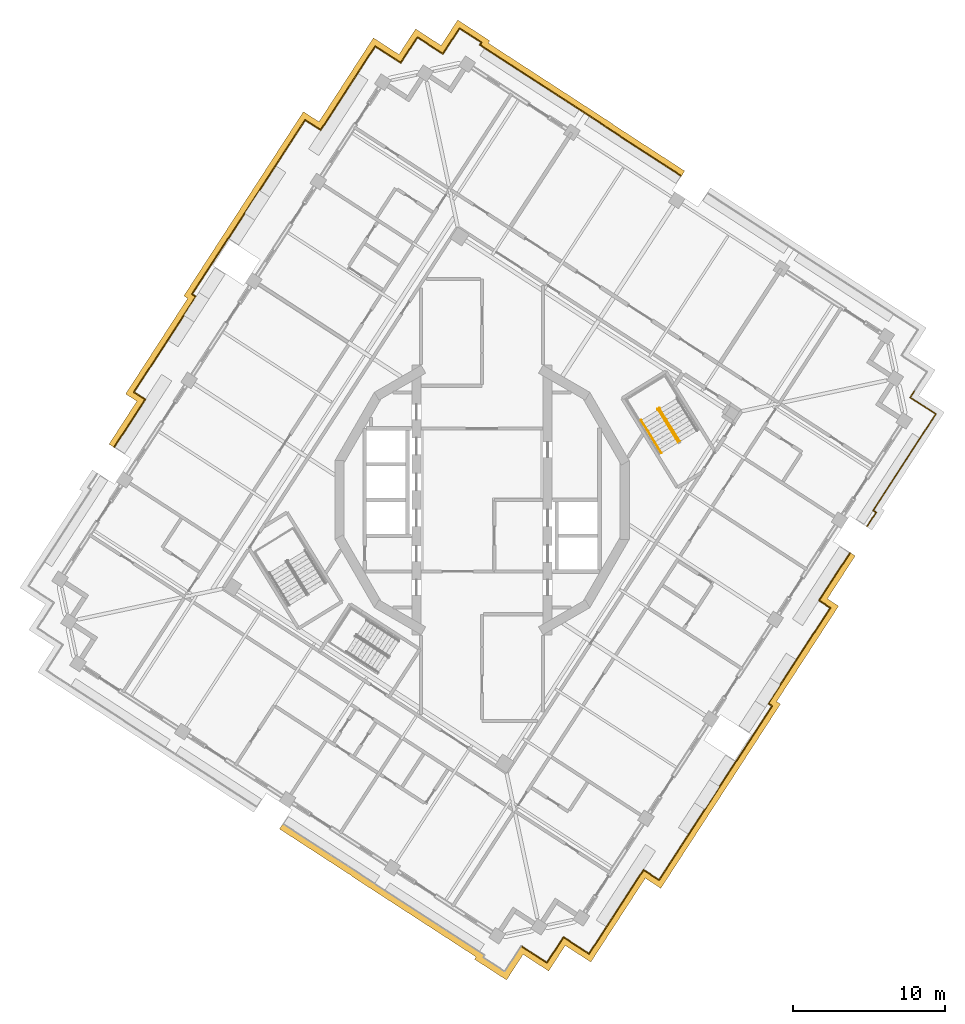
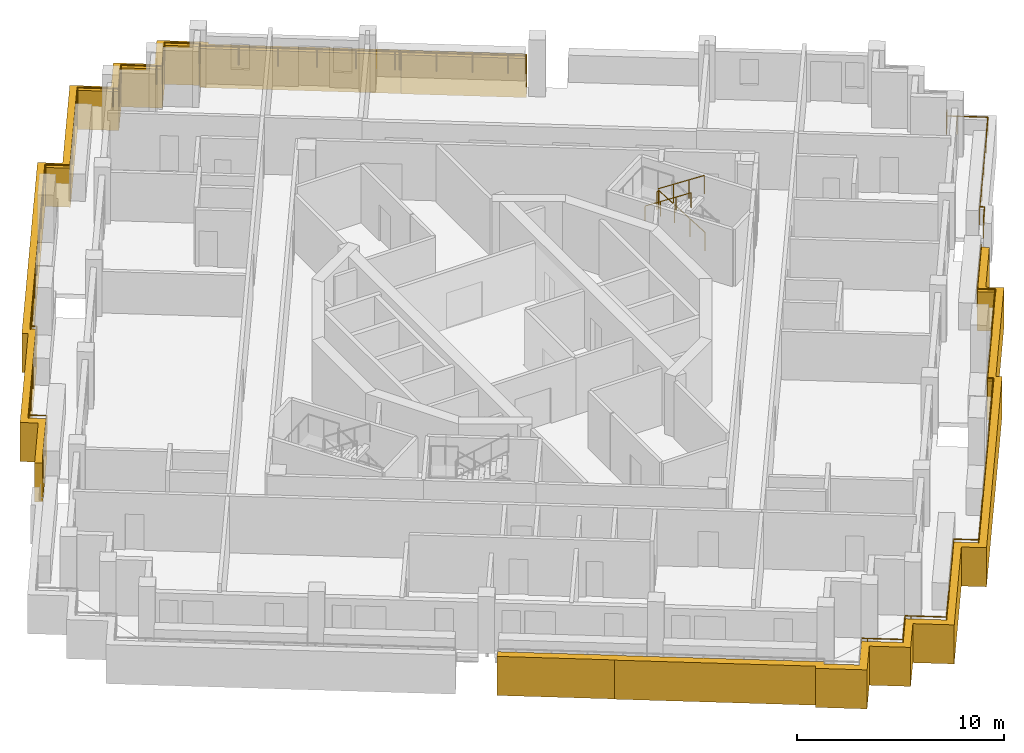
# One storey, part 13 of 15: 7 railings, 2 coverings.
"""IFC4 building model written with IfcOpenShell, lengths in metres."""

from ifc_helpers import new_model, si_unit, direction, frame, origin, origin_2d, place, context, subcontext, project, spatial, polyline, circle, outline, extrude, material, type_object, element, save


model = new_model("IFC4")

# Units and contexts
model_context = context("Model", 3, precision=1e-05, world=origin(), true_north=direction((0.0, 1.0)))
body_context = subcontext(model_context, "Body", "Model", "MODEL_VIEW")
ifc_project = project(units=[si_unit("LENGTHUNIT", "METRE"), si_unit("AREAUNIT", "SQUARE_METRE"), si_unit("VOLUMEUNIT", "CUBIC_METRE"), si_unit("PLANEANGLEUNIT", "RADIAN"), si_unit("MASSUNIT", "GRAM", prefix="KILO")], contexts=[model_context])

# Site, building, storey
site_placement = place(None, origin())
site = spatial("IfcSite", under=ifc_project, at=site_placement, CompositionType="ELEMENT")
building_placement = place(site_placement, origin())
building = spatial("IfcBuilding", under=site, at=building_placement, Name="Cantera Rosa Tower", CompositionType="ELEMENT")
storey_placement = place(building_placement, frame((0.0, 0.0, 272.10009765625)))
storey = spatial("IfcBuildingStorey", under=building, at=storey_placement, Name="L61", CompositionType="ELEMENT", Elevation=272.10009765625)

# Railings
ifc_material_1 = material(Name="Stainless steel and laminated glass", Category="steel")
railing_type_1 = type_object("IfcRailingType", Name="GUARD 1100", PredefinedType="BALUSTRADE", material=ifc_material_1)
railing_1_placement = place(storey_placement, frame((-5.338134765625, 28.68505859375, 0.0)))
element("IfcRailing", 1, at=railing_1_placement, inside=storey, type_object=railing_type_1, Name="GUARD L61-3", PredefinedType="BALUSTRADE", context=body_context, shape_type="SweptSolid", body=[
    extrude(circle(Radius=0.030029296875, at=origin_2d()), frame((0.0, 0.0, 1.070068359375), z_axis=(0.5443304008, 0.838870916629, 0.0), x_axis=(-0.838870916629, 0.5443304008, 0.0)), (0.0, 0.0, 1.0), 0.300048828125),
    extrude(circle(Radius=0.030029296875, at=origin_2d()), frame((0.163330078125, 0.251708984375, 1.070068359375), z_axis=(0.544685462014, 0.838640416073, 0.0), x_axis=(-0.838640416073, 0.544685462014, 0.0)), (0.0, 0.0, 1.0), 1.7001953125),
    extrude(circle(Radius=0.030029296875, at=origin_2d()), frame((1.08935546875, 1.677490234375, 1.070068359375), z_axis=(0.83859780397, -0.544751065329, 0.0), x_axis=(0.544751065329, 0.83859780397, 0.0)), (0.0, 0.0, 1.0), 1.699951171875),
    extrude(circle(Radius=0.030029296875, at=origin_2d()), frame((2.514892578125, 0.75146484375, 1.070068359375), z_axis=(0.838870916629, -0.5443304008, 0.0), x_axis=(0.5443304008, 0.838870916629, 0.0)), (0.0, 0.0, 1.0), 0.300048828125),
    extrude(circle(Radius=0.030029296875, at=origin_2d()), frame((2.7666015625, 0.588134765625, 1.070068359375), z_axis=(0.54468796124, 0.838638792855, 0.0), x_axis=(-0.838638792855, 0.54468796124, 0.0)), (0.0, 0.0, 1.0), 2.0),
    extrude(circle(Radius=0.030029296875, at=origin_2d()), frame((3.85595703125, 2.265380859375, 1.070068359375), z_axis=(0.838663412569, -0.54465005317, 0.0), x_axis=(0.54465005317, 0.838663412569, 0.0)), (0.0, 0.0, 1.0), 1.69970703125),
    extrude(circle(Radius=0.030029296875, at=origin_2d()), frame((5.281494140625, 1.339599609375, 1.070068359375), z_axis=(-0.544370967285, -0.838844592268, 0.0), x_axis=(0.838844592268, -0.544370967285, 0.0)), (0.0, 0.0, 1.0), 0.1806640625),
    extrude(circle(Radius=0.030029296875, at=origin_2d()), frame((5.18310546875, 1.18798828125, 1.070068359375), z_axis=(0.838675809205, -0.544630964098, 0.0), x_axis=(0.544630964098, 0.838675809205, 0.0)), (0.0, 0.0, 1.0), 9.437744140625),
    extrude(circle(Radius=0.030029296875, at=origin_2d()), frame((13.098388671875, -3.9521484375, 1.070068359375), z_axis=(0.838845454969, -0.54436963791, 0.0), x_axis=(0.54436963791, 0.838845454969, 0.0)), (0.0, 0.0, 1.0), 0.2080078125),
    extrude(circle(Radius=0.030029296875, at=origin_2d()), frame((13.27294921875, -4.0654296875, 1.070068359375), z_axis=(0.0, -1.0, 0.0), x_axis=(1.0, 0.0, 0.0)), (0.0, 0.0, 1.0), 0.000244140625),
    extrude(circle(Radius=0.030029296875, at=origin_2d()), frame((13.27294921875, -4.065673828125, 1.070068359375), z_axis=(0.839659540432, -0.543113115438, 0.0), x_axis=(0.543113115438, 0.839659540432, 0.0)), (0.0, 0.0, 1.0), 0.0732421875),
    extrude(circle(Radius=0.030029296875, at=origin_2d()), frame((13.33447265625, -4.10546875, 1.070068359375), z_axis=(-0.545880477365, -0.837863058281, 0.0), x_axis=(0.837863058281, -0.545880477365, 0.0)), (0.0, 0.0, 1.0), 0.019287109375),
    extrude(circle(Radius=0.030029296875, at=origin_2d()), frame((13.323974609375, -4.12158203125, 1.070068359375), z_axis=(0.843661487732, -0.536875492193, 0.0), x_axis=(0.536875492193, 0.843661487732, 0.0)), (0.0, 0.0, 1.0), 0.003173828125),
    extrude(circle(Radius=0.030029296875, at=origin_2d()), frame((13.32666015625, -4.123291015625, 1.070068359375), z_axis=(0.838656857697, -0.544660146365, 0.0), x_axis=(0.544660146365, 0.838656857697, 0.0)), (0.0, 0.0, 1.0), 5.177734375),
    extrude(circle(Radius=0.030029296875, at=origin_2d()), frame((17.6689453125, -6.943359375, 1.070068359375), z_axis=(0.838725681888, -0.544554157584, 0.0), x_axis=(0.544554157584, 0.838725681888, 0.0)), (0.0, 0.0, 1.0), 0.869873046875),
    extrude(circle(Radius=0.02490234375, at=origin_2d()), origin(), (0.0, 0.0, 1.0), 1.0400390625),
    extrude(circle(Radius=0.02490234375, at=origin_2d()), frame((0.163330078125, 0.251708984375, 0.0)), (0.0, 0.0, 1.0), 1.0400390625),
    extrude(circle(Radius=0.02490234375, at=origin_2d()), frame((1.08935546875, 1.677490234375, 0.0)), (0.0, 0.0, 1.0), 1.0400390625),
    extrude(circle(Radius=0.02490234375, at=origin_2d()), frame((2.514892578125, 0.75146484375, 0.0)), (0.0, 0.0, 1.0), 1.0400390625),
    extrude(circle(Radius=0.02490234375, at=origin_2d()), frame((2.7666015625, 0.588134765625, 0.0)), (0.0, 0.0, 1.0), 1.0400390625),
    extrude(circle(Radius=0.02490234375, at=origin_2d()), frame((3.85595703125, 2.265380859375, 0.0)), (0.0, 0.0, 1.0), 1.0400390625),
    extrude(circle(Radius=0.02490234375, at=origin_2d()), frame((5.281494140625, 1.339599609375, 0.0)), (0.0, 0.0, 1.0), 1.0400390625),
    extrude(circle(Radius=0.02490234375, at=origin_2d()), frame((5.18310546875, 1.18798828125, 0.0)), (0.0, 0.0, 1.0), 1.0400390625),
    extrude(circle(Radius=0.02490234375, at=origin_2d()), frame((6.76611328125, 0.159912109375, 0.0)), (0.0, 0.0, 1.0), 1.0400390625),
    extrude(circle(Radius=0.02490234375, at=origin_2d()), frame((8.34912109375, -0.8681640625, 0.0)), (0.0, 0.0, 1.0), 1.0400390625),
    extrude(circle(Radius=0.02490234375, at=origin_2d()), frame((9.932373046875, -1.89599609375, 0.0)), (0.0, 0.0, 1.0), 1.0400390625),
    extrude(circle(Radius=0.02490234375, at=origin_2d()), frame((11.515380859375, -2.924072265625, 0.0)), (0.0, 0.0, 1.0), 1.0400390625),
    extrude(circle(Radius=0.02490234375, at=origin_2d()), frame((13.098388671875, -3.9521484375, 0.0)), (0.0, 0.0, 1.0), 1.0400390625),
    extrude(circle(Radius=0.02490234375, at=origin_2d()), frame((13.27294921875, -4.0654296875, 0.0)), (0.0, 0.0, 1.0), 1.0400390625),
    extrude(circle(Radius=0.02490234375, at=origin_2d()), frame((13.27294921875, -4.065673828125, 0.0)), (0.0, 0.0, 1.0), 1.0400390625),
    extrude(circle(Radius=0.02490234375, at=origin_2d()), frame((13.33447265625, -4.10546875, 0.0)), (0.0, 0.0, 1.0), 1.0400390625),
    extrude(circle(Radius=0.02490234375, at=origin_2d()), frame((13.323974609375, -4.12158203125, 0.0)), (0.0, 0.0, 1.0), 1.0400390625),
    extrude(circle(Radius=0.02490234375, at=origin_2d()), frame((13.32666015625, -4.123291015625, 0.0)), (0.0, 0.0, 1.0), 1.0400390625),
    extrude(circle(Radius=0.02490234375, at=origin_2d()), frame((14.774169921875, -5.063232421875, 0.0)), (0.0, 0.0, 1.0), 1.0400390625),
    extrude(circle(Radius=0.02490234375, at=origin_2d()), frame((16.221435546875, -6.00341796875, 0.0)), (0.0, 0.0, 1.0), 1.0400390625),
    extrude(circle(Radius=0.02490234375, at=origin_2d()), frame((17.6689453125, -6.943359375, 0.0)), (0.0, 0.0, 1.0), 1.0400390625),
    extrude(circle(Radius=0.02490234375, at=origin_2d()), frame((18.3984375, -7.4169921875, 0.0)), (0.0, 0.0, 1.0), 1.0400390625),
])
railing_2_placement = place(storey_placement, frame((-24.13916015625, 3.46630859375, 0.0)))
element("IfcRailing", 2, at=railing_2_placement, inside=storey, type_object=railing_type_1, Name="GUARD L61-4", PredefinedType="BALUSTRADE", context=body_context, shape_type="SweptSolid", body=[
    extrude(circle(Radius=0.030029296875, at=origin_2d()), frame((0.0, 0.0, 1.070068359375), z_axis=(0.544602458439, 0.838694319918, 0.0), x_axis=(-0.838694319918, 0.544602458439, 0.0)), (0.0, 0.0, 1.0), 3.736572265625),
    extrude(circle(Radius=0.030029296875, at=origin_2d()), frame((2.034912109375, 3.1337890625, 1.070068359375), z_axis=(-0.838601924896, 0.544744721462, 0.0), x_axis=(-0.544744721462, -0.838601924896, 0.0)), (0.0, 0.0, 1.0), 0.880615234375),
    extrude(circle(Radius=0.030029296875, at=origin_2d()), frame((1.29638671875, 3.613525390625, 1.070068359375), z_axis=(0.544661219355, 0.83865616085, 0.0), x_axis=(-0.83865616085, 0.544661219355, 0.0)), (0.0, 0.0, 1.0), 7.47705078125),
    extrude(circle(Radius=0.030029296875, at=origin_2d()), frame((5.368896484375, 9.88427734375, 1.070068359375), z_axis=(-0.838682823778, 0.544620162223, 0.0), x_axis=(-0.544620162223, -0.838682823778, 0.0)), (0.0, 0.0, 1.0), 0.302978515625),
    extrude(circle(Radius=0.030029296875, at=origin_2d()), frame((5.11474609375, 10.04931640625, 1.070068359375), z_axis=(0.544652300015, 0.838661953405, 0.0), x_axis=(-0.838661953405, 0.544652300015, 0.0)), (0.0, 0.0, 1.0), 13.612548828125),
    extrude(circle(Radius=0.030029296875, at=origin_2d()), frame((12.52880859375, 21.465576171875, 1.070068359375), z_axis=(0.838691191223, -0.544607276636, 0.0), x_axis=(0.544607276636, 0.838691191223, 0.0)), (0.0, 0.0, 1.0), 1.21630859375),
    extrude(circle(Radius=0.030029296875, at=origin_2d()), frame((13.548828125, 20.80322265625, 1.070068359375), z_axis=(0.54462837007, 0.838677493745, 0.0), x_axis=(-0.838677493745, 0.54462837007, 0.0)), (0.0, 0.0, 1.0), 4.86376953125),
    extrude(circle(Radius=0.030029296875, at=origin_2d()), frame((16.19775390625, 24.88232421875, 1.070068359375), z_axis=(0.544584451758, 0.838706012202, 0.0), x_axis=(-0.838706012202, 0.544584451758, 0.0)), (0.0, 0.0, 1.0), 1.699951171875),
    extrude(circle(Radius=0.030029296875, at=origin_2d()), frame((17.12353515625, 26.30810546875, 1.070068359375), z_axis=(0.838706012202, -0.544584451758, 0.0), x_axis=(0.544584451758, 0.838706012202, 0.0)), (0.0, 0.0, 1.0), 1.699951171875),
    extrude(circle(Radius=0.030029296875, at=origin_2d()), frame((18.54931640625, 25.38232421875, 1.070068359375), z_axis=(0.838499355694, -0.544902588084, 0.0), x_axis=(0.544902588084, 0.838499355694, 0.0)), (0.0, 0.0, 1.0), 0.30029296875),
    extrude(circle(Radius=0.02490234375, at=origin_2d()), origin(), (0.0, 0.0, 1.0), 1.0400390625),
    extrude(circle(Radius=0.02490234375, at=origin_2d()), frame((1.017578125, 1.56689453125, 0.0)), (0.0, 0.0, 1.0), 1.0400390625),
    extrude(circle(Radius=0.02490234375, at=origin_2d()), frame((2.034912109375, 3.1337890625, 0.0)), (0.0, 0.0, 1.0), 1.0400390625),
    extrude(circle(Radius=0.02490234375, at=origin_2d()), frame((1.29638671875, 3.613525390625, 0.0)), (0.0, 0.0, 1.0), 1.0400390625),
    extrude(circle(Radius=0.02490234375, at=origin_2d()), frame((2.314453125, 5.18115234375, 0.0)), (0.0, 0.0, 1.0), 1.0400390625),
    extrude(circle(Radius=0.02490234375, at=origin_2d()), frame((3.33251953125, 6.7490234375, 0.0)), (0.0, 0.0, 1.0), 1.0400390625),
    extrude(circle(Radius=0.02490234375, at=origin_2d()), frame((4.350830078125, 8.316650390625, 0.0)), (0.0, 0.0, 1.0), 1.0400390625),
    extrude(circle(Radius=0.02490234375, at=origin_2d()), frame((5.368896484375, 9.88427734375, 0.0)), (0.0, 0.0, 1.0), 1.0400390625),
    extrude(circle(Radius=0.02490234375, at=origin_2d()), frame((5.11474609375, 10.04931640625, 0.0)), (0.0, 0.0, 1.0), 1.0400390625),
    extrude(circle(Radius=0.02490234375, at=origin_2d()), frame((6.173828125, 11.68017578125, 0.0)), (0.0, 0.0, 1.0), 1.0400390625),
    extrude(circle(Radius=0.02490234375, at=origin_2d()), frame((7.233154296875, 13.31103515625, 0.0)), (0.0, 0.0, 1.0), 1.0400390625),
    extrude(circle(Radius=0.02490234375, at=origin_2d()), frame((8.292236328125, 14.94189453125, 0.0)), (0.0, 0.0, 1.0), 1.0400390625),
    extrude(circle(Radius=0.02490234375, at=origin_2d()), frame((9.351318359375, 16.572998046875, 0.0)), (0.0, 0.0, 1.0), 1.0400390625),
    extrude(circle(Radius=0.02490234375, at=origin_2d()), frame((10.410400390625, 18.203857421875, 0.0)), (0.0, 0.0, 1.0), 1.0400390625),
    extrude(circle(Radius=0.02490234375, at=origin_2d()), frame((11.4697265625, 19.834716796875, 0.0)), (0.0, 0.0, 1.0), 1.0400390625),
    extrude(circle(Radius=0.02490234375, at=origin_2d()), frame((12.52880859375, 21.465576171875, 0.0)), (0.0, 0.0, 1.0), 1.0400390625),
    extrude(circle(Radius=0.02490234375, at=origin_2d()), frame((13.548828125, 20.80322265625, 0.0)), (0.0, 0.0, 1.0), 1.0400390625),
    extrude(circle(Radius=0.02490234375, at=origin_2d()), frame((14.431884765625, 22.162841796875, 0.0)), (0.0, 0.0, 1.0), 1.0400390625),
    extrude(circle(Radius=0.02490234375, at=origin_2d()), frame((15.314697265625, 23.522705078125, 0.0)), (0.0, 0.0, 1.0), 1.0400390625),
    extrude(circle(Radius=0.02490234375, at=origin_2d()), frame((16.19775390625, 24.88232421875, 0.0)), (0.0, 0.0, 1.0), 1.0400390625),
    extrude(circle(Radius=0.02490234375, at=origin_2d()), frame((17.12353515625, 26.30810546875, 0.0)), (0.0, 0.0, 1.0), 1.0400390625),
    extrude(circle(Radius=0.02490234375, at=origin_2d()), frame((18.54931640625, 25.38232421875, 0.0)), (0.0, 0.0, 1.0), 1.0400390625),
    extrude(circle(Radius=0.02490234375, at=origin_2d()), frame((18.801025390625, 25.21875, 0.0)), (0.0, 0.0, 1.0), 1.0400390625),
])
railing_3_placement = place(storey_placement, frame((24.13916015625, -3.46630859375, 0.0)))
element("IfcRailing", 3, at=railing_3_placement, inside=storey, type_object=railing_type_1, Name="GUARD L61-6", PredefinedType="BALUSTRADE", context=body_context, shape_type="SweptSolid", body=[
    extrude(circle(Radius=0.030029296875, at=origin_2d()), frame((0.0, 0.0, 1.070068359375), z_axis=(-0.544602458439, -0.838694319918, 0.0), x_axis=(0.838694319918, -0.544602458439, 0.0)), (0.0, 0.0, 1.0), 3.736572265625),
    extrude(circle(Radius=0.030029296875, at=origin_2d()), frame((-2.034912109375, -3.1337890625, 1.070068359375), z_axis=(0.838601924896, -0.544744721462, 0.0), x_axis=(0.544744721462, 0.838601924896, 0.0)), (0.0, 0.0, 1.0), 0.880615234375),
    extrude(circle(Radius=0.030029296875, at=origin_2d()), frame((-1.29638671875, -3.613525390625, 1.070068359375), z_axis=(-0.544661219355, -0.83865616085, 0.0), x_axis=(0.83865616085, -0.544661219355, 0.0)), (0.0, 0.0, 1.0), 7.47705078125),
    extrude(circle(Radius=0.030029296875, at=origin_2d()), frame((-5.368896484375, -9.88427734375, 1.070068359375), z_axis=(0.838682823778, -0.544620162223, 0.0), x_axis=(0.544620162223, 0.838682823778, 0.0)), (0.0, 0.0, 1.0), 0.302978515625),
    extrude(circle(Radius=0.030029296875, at=origin_2d()), frame((-5.11474609375, -10.04931640625, 1.070068359375), z_axis=(-0.544652300015, -0.838661953405, 0.0), x_axis=(0.838661953405, -0.544652300015, 0.0)), (0.0, 0.0, 1.0), 13.612548828125),
    extrude(circle(Radius=0.030029296875, at=origin_2d()), frame((-12.52880859375, -21.465576171875, 1.070068359375), z_axis=(-0.838691191223, 0.544607276636, 0.0), x_axis=(-0.544607276636, -0.838691191223, 0.0)), (0.0, 0.0, 1.0), 1.21630859375),
    extrude(circle(Radius=0.030029296875, at=origin_2d()), frame((-13.548828125, -20.80322265625, 1.070068359375), z_axis=(-0.54462837007, -0.838677493745, 0.0), x_axis=(0.838677493745, -0.54462837007, 0.0)), (0.0, 0.0, 1.0), 4.86376953125),
    extrude(circle(Radius=0.030029296875, at=origin_2d()), frame((-16.19775390625, -24.88232421875, 1.070068359375), z_axis=(-0.544584451758, -0.838706012202, 0.0), x_axis=(0.838706012202, -0.544584451758, 0.0)), (0.0, 0.0, 1.0), 1.699951171875),
    extrude(circle(Radius=0.030029296875, at=origin_2d()), frame((-17.12353515625, -26.30810546875, 1.070068359375), z_axis=(-0.838706012202, 0.544584451758, 0.0), x_axis=(-0.544584451758, -0.838706012202, 0.0)), (0.0, 0.0, 1.0), 1.699951171875),
    extrude(circle(Radius=0.030029296875, at=origin_2d()), frame((-18.54931640625, -25.38232421875, 1.070068359375), z_axis=(-0.838499355694, 0.544902588084, 0.0), x_axis=(-0.544902588084, -0.838499355694, 0.0)), (0.0, 0.0, 1.0), 0.30029296875),
    extrude(circle(Radius=0.030029296875, at=origin_2d()), frame((-18.801025390625, -25.21875, 1.070068359375), z_axis=(-0.5443304008, -0.838870916629, 0.0), x_axis=(0.838870916629, -0.5443304008, 0.0)), (0.0, 0.0, 1.0), 0.300048828125),
    extrude(circle(Radius=0.030029296875, at=origin_2d()), frame((-18.96435546875, -25.470458984375, 1.070068359375), z_axis=(-0.544685462014, -0.838640416073, 0.0), x_axis=(0.838640416073, -0.544685462014, 0.0)), (0.0, 0.0, 1.0), 1.7001953125),
    extrude(circle(Radius=0.030029296875, at=origin_2d()), frame((-19.890380859375, -26.896240234375, 1.070068359375), z_axis=(-0.83859780397, 0.544751065329, 0.0), x_axis=(-0.544751065329, -0.83859780397, 0.0)), (0.0, 0.0, 1.0), 1.699951171875),
    extrude(circle(Radius=0.030029296875, at=origin_2d()), frame((-21.31591796875, -25.97021484375, 1.070068359375), z_axis=(-0.838870916629, 0.5443304008, 0.0), x_axis=(-0.5443304008, -0.838870916629, 0.0)), (0.0, 0.0, 1.0), 0.300048828125),
    extrude(circle(Radius=0.02490234375, at=origin_2d()), origin(), (0.0, 0.0, 1.0), 1.0400390625),
    extrude(circle(Radius=0.02490234375, at=origin_2d()), frame((-1.017578125, -1.56689453125, 0.0)), (0.0, 0.0, 1.0), 1.0400390625),
    extrude(circle(Radius=0.02490234375, at=origin_2d()), frame((-2.034912109375, -3.1337890625, 0.0)), (0.0, 0.0, 1.0), 1.0400390625),
    extrude(circle(Radius=0.02490234375, at=origin_2d()), frame((-1.29638671875, -3.613525390625, 0.0)), (0.0, 0.0, 1.0), 1.0400390625),
    extrude(circle(Radius=0.02490234375, at=origin_2d()), frame((-2.314453125, -5.18115234375, 0.0)), (0.0, 0.0, 1.0), 1.0400390625),
    extrude(circle(Radius=0.02490234375, at=origin_2d()), frame((-3.33251953125, -6.7490234375, 0.0)), (0.0, 0.0, 1.0), 1.0400390625),
    extrude(circle(Radius=0.02490234375, at=origin_2d()), frame((-4.350830078125, -8.316650390625, 0.0)), (0.0, 0.0, 1.0), 1.0400390625),
    extrude(circle(Radius=0.02490234375, at=origin_2d()), frame((-5.368896484375, -9.88427734375, 0.0)), (0.0, 0.0, 1.0), 1.0400390625),
    extrude(circle(Radius=0.02490234375, at=origin_2d()), frame((-5.11474609375, -10.04931640625, 0.0)), (0.0, 0.0, 1.0), 1.0400390625),
    extrude(circle(Radius=0.02490234375, at=origin_2d()), frame((-6.173828125, -11.68017578125, 0.0)), (0.0, 0.0, 1.0), 1.0400390625),
    extrude(circle(Radius=0.02490234375, at=origin_2d()), frame((-7.233154296875, -13.31103515625, 0.0)), (0.0, 0.0, 1.0), 1.0400390625),
    extrude(circle(Radius=0.02490234375, at=origin_2d()), frame((-8.292236328125, -14.94189453125, 0.0)), (0.0, 0.0, 1.0), 1.0400390625),
    extrude(circle(Radius=0.02490234375, at=origin_2d()), frame((-9.351318359375, -16.572998046875, 0.0)), (0.0, 0.0, 1.0), 1.0400390625),
    extrude(circle(Radius=0.02490234375, at=origin_2d()), frame((-10.410400390625, -18.203857421875, 0.0)), (0.0, 0.0, 1.0), 1.0400390625),
    extrude(circle(Radius=0.02490234375, at=origin_2d()), frame((-11.4697265625, -19.834716796875, 0.0)), (0.0, 0.0, 1.0), 1.0400390625),
    extrude(circle(Radius=0.02490234375, at=origin_2d()), frame((-12.52880859375, -21.465576171875, 0.0)), (0.0, 0.0, 1.0), 1.0400390625),
    extrude(circle(Radius=0.02490234375, at=origin_2d()), frame((-13.548828125, -20.80322265625, 0.0)), (0.0, 0.0, 1.0), 1.0400390625),
    extrude(circle(Radius=0.02490234375, at=origin_2d()), frame((-14.431884765625, -22.162841796875, 0.0)), (0.0, 0.0, 1.0), 1.0400390625),
    extrude(circle(Radius=0.02490234375, at=origin_2d()), frame((-15.314697265625, -23.522705078125, 0.0)), (0.0, 0.0, 1.0), 1.0400390625),
    extrude(circle(Radius=0.02490234375, at=origin_2d()), frame((-16.19775390625, -24.88232421875, 0.0)), (0.0, 0.0, 1.0), 1.0400390625),
    extrude(circle(Radius=0.02490234375, at=origin_2d()), frame((-17.12353515625, -26.30810546875, 0.0)), (0.0, 0.0, 1.0), 1.0400390625),
    extrude(circle(Radius=0.02490234375, at=origin_2d()), frame((-18.54931640625, -25.38232421875, 0.0)), (0.0, 0.0, 1.0), 1.0400390625),
    extrude(circle(Radius=0.02490234375, at=origin_2d()), frame((-18.801025390625, -25.21875, 0.0)), (0.0, 0.0, 1.0), 1.0400390625),
    extrude(circle(Radius=0.02490234375, at=origin_2d()), frame((-18.96435546875, -25.470458984375, 0.0)), (0.0, 0.0, 1.0), 1.0400390625),
    extrude(circle(Radius=0.02490234375, at=origin_2d()), frame((-19.890380859375, -26.896240234375, 0.0)), (0.0, 0.0, 1.0), 1.0400390625),
    extrude(circle(Radius=0.02490234375, at=origin_2d()), frame((-21.31591796875, -25.97021484375, 0.0)), (0.0, 0.0, 1.0), 1.0400390625),
    extrude(circle(Radius=0.02490234375, at=origin_2d()), frame((-21.567626953125, -25.806884765625, 0.0)), (0.0, 0.0, 1.0), 1.0400390625),
])
railing_4_placement = place(storey_placement, frame((28.3720703125, 7.151123046875, 0.0)))
element("IfcRailing", 4, at=railing_4_placement, inside=storey, type_object=railing_type_1, Name="GUARD L61-7", PredefinedType="BALUSTRADE", context=body_context, shape_type="SweptSolid", body=[
    extrude(circle(Radius=0.030029296875, at=origin_2d()), frame((0.0, 0.0, 1.070068359375), z_axis=(-0.544627753175, -0.83867789435, 0.0), x_axis=(0.83867789435, -0.544627753175, 0.0)), (0.0, 0.0, 1.0), 0.499755859375),
    extrude(circle(Radius=0.030029296875, at=origin_2d()), frame((-0.272216796875, -0.419189453125, 1.070068359375), z_axis=(0.838454772945, -0.544971186143, 0.0), x_axis=(0.544971186143, 0.838454772945, 0.0)), (0.0, 0.0, 1.0), 0.5),
    extrude(circle(Radius=0.030029296875, at=origin_2d()), frame((0.14697265625, -0.691650390625, 1.070068359375), z_axis=(0.8387001057, -0.544593548161, 0.0), x_axis=(0.544593548161, 0.8387001057, 0.0)), (0.0, 0.0, 1.0), 1.5),
    extrude(circle(Radius=0.030029296875, at=origin_2d()), frame((1.405029296875, -1.508544921875, 1.070068359375), z_axis=(-0.544593548161, -0.8387001057, 0.0), x_axis=(0.8387001057, -0.544593548161, 0.0)), (0.0, 0.0, 1.0), 1.5),
    extrude(circle(Radius=0.030029296875, at=origin_2d()), frame((0.588134765625, -2.7666015625, 1.070068359375), z_axis=(-0.544663344191, -0.838654780881, 0.0), x_axis=(0.838654780881, -0.544663344191, 0.0)), (0.0, 0.0, 1.0), 6.047119140625),
    extrude(circle(Radius=0.030029296875, at=origin_2d()), frame((-2.70556640625, -7.838134765625, 1.070068359375), z_axis=(0.838922465859, -0.544250949726, 0.0), x_axis=(0.544250949726, 0.838922465859, 0.0)), (0.0, 0.0, 1.0), 0.23291015625),
    extrude(circle(Radius=0.030029296875, at=origin_2d()), frame((-2.51025390625, -7.96484375, 1.070068359375), z_axis=(-0.544544776957, -0.838731772314, 0.0), x_axis=(0.838731772314, -0.544544776957, 0.0)), (0.0, 0.0, 1.0), 1.10302734375),
    extrude(circle(Radius=0.02490234375, at=origin_2d()), origin(), (0.0, 0.0, 1.0), 1.0400390625),
    extrude(circle(Radius=0.02490234375, at=origin_2d()), frame((-0.272216796875, -0.419189453125, 0.0)), (0.0, 0.0, 1.0), 1.0400390625),
    extrude(circle(Radius=0.02490234375, at=origin_2d()), frame((0.14697265625, -0.691650390625, 0.0)), (0.0, 0.0, 1.0), 1.0400390625),
    extrude(circle(Radius=0.02490234375, at=origin_2d()), frame((1.405029296875, -1.508544921875, 0.0)), (0.0, 0.0, 1.0), 1.0400390625),
    extrude(circle(Radius=0.02490234375, at=origin_2d()), frame((0.588134765625, -2.7666015625, 0.0)), (0.0, 0.0, 1.0), 1.0400390625),
    extrude(circle(Radius=0.02490234375, at=origin_2d()), frame((-0.509765625, -4.45703125, 0.0)), (0.0, 0.0, 1.0), 1.0400390625),
    extrude(circle(Radius=0.02490234375, at=origin_2d()), frame((-1.607666015625, -6.147705078125, 0.0)), (0.0, 0.0, 1.0), 1.0400390625),
    extrude(circle(Radius=0.02490234375, at=origin_2d()), frame((-2.70556640625, -7.838134765625, 0.0)), (0.0, 0.0, 1.0), 1.0400390625),
    extrude(circle(Radius=0.02490234375, at=origin_2d()), frame((-2.51025390625, -7.96484375, 0.0)), (0.0, 0.0, 1.0), 1.0400390625),
    extrude(circle(Radius=0.02490234375, at=origin_2d()), frame((-3.11083984375, -8.889892578125, 0.0)), (0.0, 0.0, 1.0), 1.0400390625),
])
ifc_material_2 = material(Name="Steel S355J2 (EN 10025-2)", Category="steel")
railing_type_2 = type_object("IfcRailingType", Name="STAIR GUARD 1100", PredefinedType="GUARDRAIL", material=ifc_material_2)
railing_5_placement = place(storey_placement, frame((12.9765625, 3.834228515625, 0.179931640625)))
element("IfcRailing", 5, at=railing_5_placement, inside=storey, type_object=railing_type_2, Name="L61 ST-51 stair guard 1", PredefinedType="GUARDRAIL", context=body_context, shape_type="SweptSolid", body=[
    extrude(circle(Radius=0.02392578125, at=origin_2d()), frame((0.0, 0.0, 1.076171875), z_axis=(-0.441562923896, 0.715970890813, 0.540747508315), x_axis=(-0.851145618652, -0.524929648476, 0.0)), (0.0, 0.0, 1.0), 2.99560546875),
    extrude(circle(Radius=0.02392578125, at=origin_2d()), frame((-1.32275390625, 2.144775390625, 2.69580078125), z_axis=(-0.073711968402, 0.997279572494, 0.0), x_axis=(-0.997279572494, -0.073711968402, 0.0)), (0.0, 0.0, 1.0), 0.056396484375),
    extrude(circle(Radius=0.02392578125, at=origin_2d()), frame((-1.326904296875, 2.200927734375, 2.69580078125), z_axis=(-0.851546489876, -0.524279100842, 0.0), x_axis=(0.524279100842, -0.851546489876, 0.0)), (0.0, 0.0, 1.0), 0.14990234375),
    extrude(circle(Radius=0.02099609375, at=origin_2d()), origin(), (0.0, 0.0, 1.0), 1.052001953125),
    extrude(circle(Radius=0.02099609375, at=origin_2d()), frame((-0.44091796875, 0.71484375, 0.5400390625)), (0.0, 0.0, 1.0), 1.052001953125),
    extrude(circle(Radius=0.02099609375, at=origin_2d()), frame((-0.8818359375, 1.429931640625, 1.079833984375)), (0.0, 0.0, 1.0), 1.052001953125),
    extrude(circle(Radius=0.02099609375, at=origin_2d()), frame((-1.32275390625, 2.144775390625, 1.619873046875)), (0.0, 0.0, 1.0), 1.052001953125),
    extrude(circle(Radius=0.02099609375, at=origin_2d()), frame((-1.326904296875, 2.200927734375, 1.619873046875)), (0.0, 0.0, 1.0), 1.052001953125),
    extrude(circle(Radius=0.02099609375, at=origin_2d()), frame((-1.45458984375, 2.122314453125, 1.619873046875)), (0.0, 0.0, 1.0), 1.052001953125),
])
railing_6_placement = place(storey_placement, frame((11.5703125, 5.927490234375, 1.97998046875)))
element("IfcRailing", 6, at=railing_6_placement, inside=storey, type_object=railing_type_2, Name="L61 ST-51 stair guard 2", PredefinedType="GUARDRAIL", context=body_context, shape_type="SweptSolid", body=[
    extrude(circle(Radius=0.02392578125, at=origin_2d()), frame((0.0, 0.0, 1.076171875), z_axis=(0.441628529057, -0.715945124149, 0.540728047664), x_axis=(0.851102330005, 0.524999832248, 0.0)), (0.0, 0.0, 1.0), 2.99560546875),
    extrude(circle(Radius=0.02099609375, at=origin_2d()), origin(), (0.0, 0.0, 1.0), 1.052001953125),
    extrude(circle(Radius=0.02099609375, at=origin_2d()), frame((0.44091796875, -0.71484375, 0.5400390625)), (0.0, 0.0, 1.0), 1.052001953125),
    extrude(circle(Radius=0.02099609375, at=origin_2d()), frame((0.882080078125, -1.429931640625, 1.079833984375)), (0.0, 0.0, 1.0), 1.052001953125),
    extrude(circle(Radius=0.02099609375, at=origin_2d()), frame((1.322998046875, -2.144775390625, 1.619873046875)), (0.0, 0.0, 1.0), 1.052001953125),
])
ifc_material_3 = material(Name="Steel S355J2 (EN 10025-2)", Category="steel")
railing_type_3 = type_object("IfcRailingType", Name="STAIR HANDRAIL 900", PredefinedType="HANDRAIL", material=ifc_material_3)
railing_7_placement = place(storey_placement, frame((10.441650390625, 5.2314453125, 1.97998046875)))
element("IfcRailing", 7, at=railing_7_placement, inside=storey, type_object=railing_type_3, Name="L61 ST-51 stair handrail 2", PredefinedType="HANDRAIL", context=body_context, shape_type="SweptSolid", body=[
    extrude(circle(Radius=0.02392578125, at=origin_2d()), frame((0.0, 0.0, 0.8759765625), z_axis=(0.441628529057, -0.715945124149, 0.540728047664), x_axis=(0.851102330005, 0.524999832248, 0.0)), (0.0, 0.0, 1.0), 2.99560546875),
    extrude(circle(Radius=0.02099609375, at=origin_2d()), origin(), (0.0, 0.0, 1.0), 0.851806640625),
    extrude(circle(Radius=0.02099609375, at=origin_2d()), frame((0.44091796875, -0.71484375, 0.5400390625)), (0.0, 0.0, 1.0), 0.851806640625),
    extrude(circle(Radius=0.02099609375, at=origin_2d()), frame((0.882080078125, -1.429931640625, 1.079833984375)), (0.0, 0.0, 1.0), 0.851806640625),
    extrude(circle(Radius=0.02099609375, at=origin_2d()), frame((1.322998046875, -2.144775390625, 1.619873046875)), (0.0, 0.0, 1.0), 0.851806640625),
])

# Coverings
ifc_material_4 = material(Name="Cantera stone", Category="masonry")
covering_type = type_object("IfcCoveringType", Name="TRAY FASCIA 400", PredefinedType="CLADDING", material=ifc_material_4)
covering_1_placement = place(storey_placement, frame((0.0, 0.0, -1.400146484375)))
element("IfcCovering", 8, at=covering_1_placement, inside=storey, type_object=covering_type, Name="TRAY FASCIA L61-02", PredefinedType="CLADDING", context=body_context, shape_type="SweptSolid", body=[
    extrude(outline(polyline([(-22.657470703125, 6.482421875), (-23.39599609375, 6.962158203125), (-19.32373046875, 13.233154296875), (-19.57763671875, 13.39794921875), (-11.72802734375, 25.4853515625), (-10.7080078125, 24.822998046875), (-8.27685546875, 28.56640625), (-7.133056640625, 30.32763671875), (-5.455810546875, 29.238525390625), (-4.366455078125, 30.915771484375), (-2.689208984375, 29.826416015625), (-1.599853515625, 31.50390625), (0.496826171875, 30.142333984375), (0.3984375, 29.99072265625), (8.549560546875, 24.697265625), (8.5390625, 24.680908203125), (12.548583984375, 22.0771484375), (13.294921875, 21.592529296875), (13.0771484375, 21.257080078125), (12.330810546875, 21.74169921875), (7.98583984375, 24.5634765625), (7.996337890625, 24.57958984375), (-0.155029296875, 29.873046875), (-0.056640625, 30.024658203125), (-1.482177734375, 30.950439453125), (-2.571533203125, 29.273193359375), (-2.8232421875, 29.4365234375), (-4.248779296875, 30.362548828125), (-5.1748046875, 28.936767578125), (-5.338134765625, 28.68505859375), (-5.58984375, 28.8486328125), (-7.015625, 29.7744140625), (-7.94140625, 28.3486328125), (-10.59033203125, 24.26953125), (-11.6103515625, 24.931884765625), (-19.0244140625, 13.515625), (-18.770263671875, 13.3505859375), (-22.8427734375, 7.079833984375), (-22.104248046875, 6.60009765625), (-24.150146484375, 3.44970703125), (-24.485595703125, 3.66748046875), (-22.657470703125, 6.482421875)])), origin(), (0.0, 0.0, 1.0), 2.300048828125),
])
covering_2_placement = place(storey_placement, frame((0.0, 0.0, -1.400146484375)))
element("IfcCovering", 9, at=covering_2_placement, inside=storey, type_object=covering_type, Name="TRAY FASCIA L61-03", PredefinedType="CLADDING", context=body_context, shape_type="SweptSolid", body=[
    extrude(outline(polyline([(22.657470703125, -6.482421875), (23.39599609375, -6.962158203125), (19.32373046875, -13.233154296875), (19.57763671875, -13.39794921875), (11.72802734375, -25.4853515625), (10.7080078125, -24.822998046875), (8.27685546875, -28.56640625), (7.133056640625, -30.32763671875), (5.455810546875, -29.238525390625), (4.366455078125, -30.915771484375), (2.689208984375, -29.826416015625), (1.599853515625, -31.50390625), (-0.496826171875, -30.142333984375), (-0.3984375, -29.99072265625), (-8.549560546875, -24.697265625), (-8.5390625, -24.680908203125), (-12.548583984375, -22.0771484375), (-13.294921875, -21.592529296875), (-13.0771484375, -21.257080078125), (-12.330810546875, -21.74169921875), (-7.98583984375, -24.5634765625), (-7.996337890625, -24.57958984375), (0.155029296875, -29.873046875), (0.056640625, -30.024658203125), (1.482177734375, -30.950439453125), (2.571533203125, -29.273193359375), (2.8232421875, -29.4365234375), (4.248779296875, -30.362548828125), (5.1748046875, -28.936767578125), (5.338134765625, -28.68505859375), (5.58984375, -28.8486328125), (7.015625, -29.7744140625), (7.94140625, -28.3486328125), (10.59033203125, -24.26953125), (11.6103515625, -24.931884765625), (19.0244140625, -13.515625), (18.770263671875, -13.3505859375), (22.8427734375, -7.079833984375), (22.104248046875, -6.60009765625), (24.150146484375, -3.44970703125), (24.485595703125, -3.66748046875), (22.657470703125, -6.482421875)])), origin(), (0.0, 0.0, 1.0), 2.300048828125),
])

save(model, "model.ifc")
